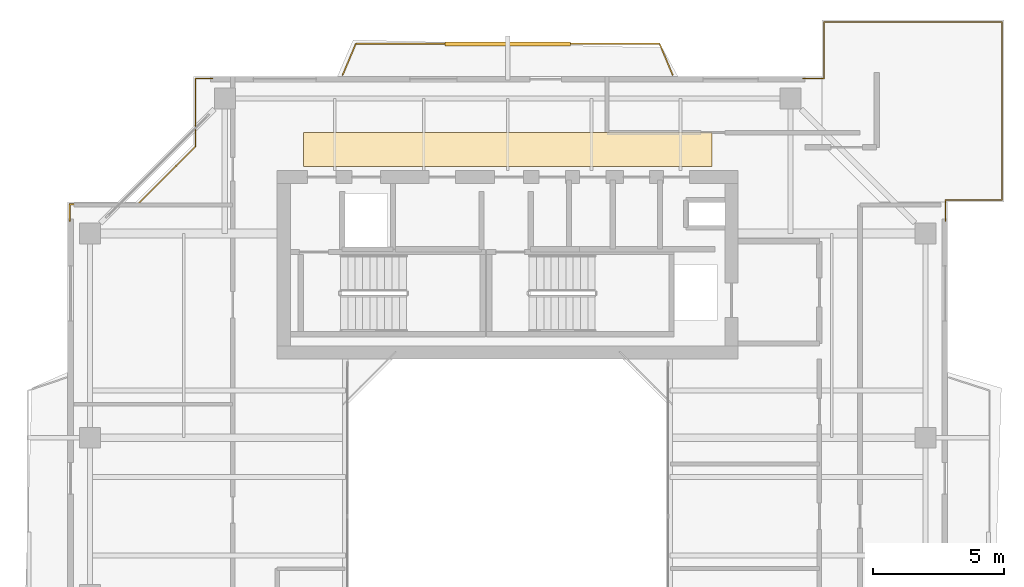
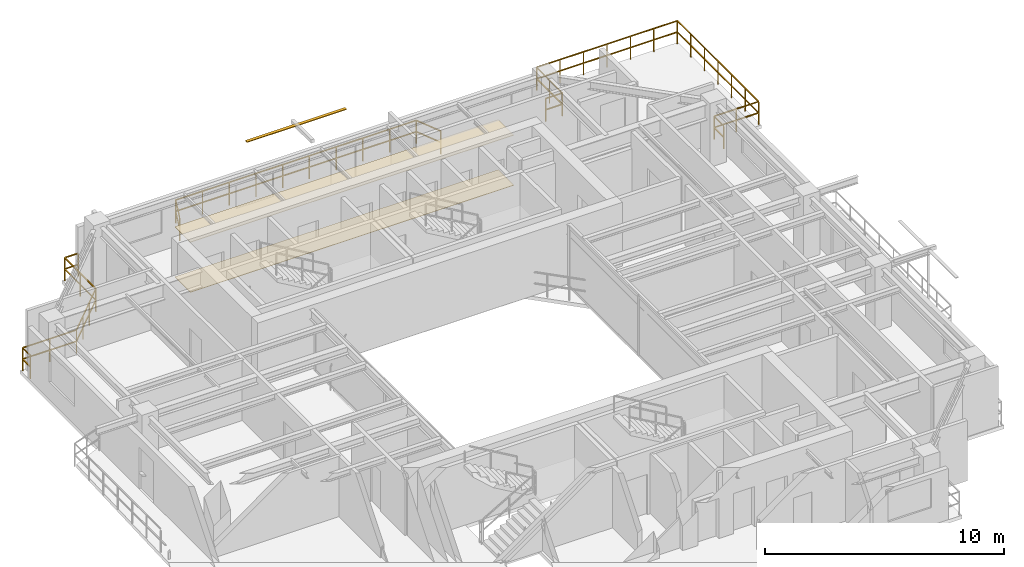
# One storey, part 16 of 16: 3 railings, 2 coverings, 1 shading device.
"""IFC4 building model written with IfcOpenShell, lengths in metres."""

from ifc_helpers import new_model, si_unit, direction, frame, origin, origin_2d, place, context, subcontext, project, spatial, polyline, rectangle, outline, extrude, source, transform, mapped, material, layer, layer_set, material_profile, profile_set, type_object, element, save


model = new_model("IFC4")

# Units and contexts
model_context = context("Model", 3, precision=1e-05, world=origin(), true_north=direction((0.0, 1.0)))
body_context = subcontext(model_context, "Body", "Model", "MODEL_VIEW")
ifc_project = project(units=[si_unit("LENGTHUNIT", "METRE"), si_unit("AREAUNIT", "SQUARE_METRE"), si_unit("VOLUMEUNIT", "CUBIC_METRE"), si_unit("PLANEANGLEUNIT", "RADIAN"), si_unit("MASSUNIT", "GRAM", prefix="KILO"), si_unit("THERMODYNAMICTEMPERATUREUNIT", "KELVIN"), si_unit("POWERUNIT", "WATT")], contexts=[model_context])

# Site, building, storey
site_placement = place(None, origin())
site = spatial("IfcSite", under=ifc_project, at=site_placement, CompositionType="ELEMENT")
building_placement = place(site_placement, origin())
building = spatial("IfcBuilding", under=site, at=building_placement, Name="Qiaomeng Ring Towers", CompositionType="ELEMENT")
storey_placement = place(building_placement, frame((0.0, 0.0, 223.0)))
storey = spatial("IfcBuildingStorey", under=building, at=storey_placement, Name="L65", CompositionType="ELEMENT", Elevation=223.0)

# Coverings
ifc_material_1 = material(Name="Moisture-resistant gypsum ceiling board", Category="gypsum")
ifc_layer_1 = layer(ifc_material_1, 0.030029296875, Name="Moisture-resistant gypsum ceiling board")
ifc_layer_set_1 = layer_set([ifc_layer_1], Name="Moisture-resistant gypsum ceiling board")
covering_type_1 = type_object("IfcCoveringType", Name="ARC-COV-CEIL2", PredefinedType="CEILING", material=ifc_layer_set_1)
covering_1_placement = place(storey_placement, frame((0.0, 0.0, 2.550048828125)))
element("IfcCovering", 1, at=covering_1_placement, inside=storey, type_object=covering_type_1, Name="L65 Corridor Acoustic Ceiling", PredefinedType="CEILING", context=body_context, shape_type="SweptSolid", body=[
    extrude(outline(polyline([(11.199951171875, 36.35009765625), (11.199951171875, 37.64990234375), (26.800048828125, 37.64990234375), (26.800048828125, 36.35009765625), (11.199951171875, 36.35009765625)])), origin(), (0.0, 0.0, 1.0), 0.02490234375),
])
ifc_material_2 = material(Name="Vitrified porcelain floor tile", Category="ceramic")
ifc_layer_2 = layer(ifc_material_2, 0.02001953125, Name="Vitrified porcelain floor tile")
ifc_layer_set_2 = layer_set([ifc_layer_2], Name="Vitrified porcelain floor tile")
covering_type_2 = type_object("IfcCoveringType", Name="ARC-COV-FLR1", PredefinedType="FLOORING", material=ifc_layer_set_2)
covering_2_placement = place(storey_placement, origin())
element("IfcCovering", 2, at=covering_2_placement, inside=storey, type_object=covering_type_2, Name="L65 Corridor Stone Flooring", PredefinedType="FLOORING", context=body_context, shape_type="SweptSolid", body=[
    extrude(outline(polyline([(11.199951171875, 36.35009765625), (11.199951171875, 37.64990234375), (26.800048828125, 37.64990234375), (26.800048828125, 36.35009765625), (11.199951171875, 36.35009765625)])), origin(), (0.0, 0.0, 1.0), 0.02001953125),
])

# Railings
ifc_material_3 = material(Name="Low-E pale-green laminated safety glass", Category="glass")
railing_type = type_object("IfcRailingType", Name="ARC-RL-BAL1", PredefinedType="BALUSTRADE", material=ifc_material_3)
railing_1_placement = place(storey_placement, frame((35.719970703125, 34.280029296875, 0.0)))
element("IfcRailing", 3, at=railing_1_placement, inside=storey, type_object=railing_type, Name="L65 Balustrade ARC-BAL-L65-SPIRAL-NE", PredefinedType="BALUSTRADE", context=body_context, shape_type="SweptSolid", body=[
    extrude(rectangle(XDim=0.048095703125, YDim=0.048095703125, at=origin_2d()), frame((0.0, 0.0, 1.17578125), z_axis=(0.0, 1.0, 0.0), x_axis=(-1.0, 0.0, 0.0)), (0.0, 0.0, 1.0), 0.800048828125),
    extrude(rectangle(XDim=0.048095703125, YDim=0.048095703125, at=origin_2d()), frame((0.0, 0.0, 0.60009765625), z_axis=(0.0, 1.0, 0.0), x_axis=(-1.0, 0.0, 0.0)), (0.0, 0.0, 1.0), 0.800048828125),
    extrude(rectangle(XDim=0.048095703125, YDim=0.048095703125, at=origin_2d()), frame((0.0, 0.800048828125, 1.17578125), z_axis=(1.0, 0.0, 0.0), x_axis=(0.0, 1.0, 0.0)), (0.0, 0.0, 1.0), 2.150146484375),
    extrude(rectangle(XDim=0.048095703125, YDim=0.048095703125, at=origin_2d()), frame((0.0, 0.800048828125, 0.60009765625), z_axis=(1.0, 0.0, 0.0), x_axis=(0.0, 1.0, 0.0)), (0.0, 0.0, 1.0), 2.150146484375),
    extrude(rectangle(XDim=0.048095703125, YDim=0.048095703125, at=origin_2d()), frame((2.150146484375, 0.800048828125, 1.17578125), z_axis=(0.0, 1.0, 0.0), x_axis=(-1.0, 0.0, 0.0)), (0.0, 0.0, 1.0), 6.7900390625),
    extrude(rectangle(XDim=0.048095703125, YDim=0.048095703125, at=origin_2d()), frame((2.150146484375, 0.800048828125, 0.60009765625), z_axis=(0.0, 1.0, 0.0), x_axis=(-1.0, 0.0, 0.0)), (0.0, 0.0, 1.0), 6.7900390625),
    extrude(rectangle(XDim=0.048095703125, YDim=0.048095703125, at=origin_2d()), frame((2.150146484375, 7.590087890625, 1.17578125), z_axis=(-1.0, 0.0, 0.0), x_axis=(0.0, -1.0, 0.0)), (0.0, 0.0, 1.0), 6.7900390625),
    extrude(rectangle(XDim=0.048095703125, YDim=0.048095703125, at=origin_2d()), frame((2.150146484375, 7.590087890625, 0.60009765625), z_axis=(-1.0, 0.0, 0.0), x_axis=(0.0, -1.0, 0.0)), (0.0, 0.0, 1.0), 6.7900390625),
    extrude(rectangle(XDim=0.048095703125, YDim=0.048095703125, at=origin_2d()), frame((-4.639892578125, 7.590087890625, 1.17578125), z_axis=(0.0, -1.0, 0.0), x_axis=(1.0, 0.0, 0.0)), (0.0, 0.0, 1.0), 2.150146484375),
    extrude(rectangle(XDim=0.048095703125, YDim=0.048095703125, at=origin_2d()), frame((-4.639892578125, 7.590087890625, 0.60009765625), z_axis=(0.0, -1.0, 0.0), x_axis=(1.0, 0.0, 0.0)), (0.0, 0.0, 1.0), 2.150146484375),
    extrude(rectangle(XDim=0.048095703125, YDim=0.048095703125, at=origin_2d()), frame((-4.639892578125, 5.43994140625, 1.17578125), z_axis=(-1.0, 0.0, 0.0), x_axis=(0.0, -1.0, 0.0)), (0.0, 0.0, 1.0), 0.800048828125),
    extrude(rectangle(XDim=0.048095703125, YDim=0.048095703125, at=origin_2d()), frame((-4.639892578125, 5.43994140625, 0.60009765625), z_axis=(-1.0, 0.0, 0.0), x_axis=(0.0, -1.0, 0.0)), (0.0, 0.0, 1.0), 0.800048828125),
    extrude(rectangle(XDim=0.0419921875, YDim=0.0419921875, at=origin_2d()), origin(), (0.0, 0.0, 1.0), 1.15185546875),
    extrude(rectangle(XDim=0.0419921875, YDim=0.0419921875, at=origin_2d()), frame((0.0, 0.800048828125, 0.0)), (0.0, 0.0, 1.0), 1.15185546875),
    extrude(rectangle(XDim=0.0419921875, YDim=0.0419921875, at=origin_2d()), frame((1.0751953125, 0.800048828125, 0.0)), (0.0, 0.0, 1.0), 1.15185546875),
    extrude(rectangle(XDim=0.0419921875, YDim=0.0419921875, at=origin_2d()), frame((2.150146484375, 0.800048828125, 0.0)), (0.0, 0.0, 1.0), 1.15185546875),
    extrude(rectangle(XDim=0.0419921875, YDim=0.0419921875, at=origin_2d()), frame((2.150146484375, 1.931640625, 0.0)), (0.0, 0.0, 1.0), 1.15185546875),
    extrude(rectangle(XDim=0.0419921875, YDim=0.0419921875, at=origin_2d()), frame((2.150146484375, 3.0634765625, 0.0)), (0.0, 0.0, 1.0), 1.15185546875),
    extrude(rectangle(XDim=0.0419921875, YDim=0.0419921875, at=origin_2d()), frame((2.150146484375, 4.195068359375, 0.0)), (0.0, 0.0, 1.0), 1.15185546875),
    extrude(rectangle(XDim=0.0419921875, YDim=0.0419921875, at=origin_2d()), frame((2.150146484375, 5.32666015625, 0.0)), (0.0, 0.0, 1.0), 1.15185546875),
    extrude(rectangle(XDim=0.0419921875, YDim=0.0419921875, at=origin_2d()), frame((2.150146484375, 6.45849609375, 0.0)), (0.0, 0.0, 1.0), 1.15185546875),
    extrude(rectangle(XDim=0.0419921875, YDim=0.0419921875, at=origin_2d()), frame((2.150146484375, 7.590087890625, 0.0)), (0.0, 0.0, 1.0), 1.15185546875),
    extrude(rectangle(XDim=0.0419921875, YDim=0.0419921875, at=origin_2d()), frame((1.0185546875, 7.590087890625, 0.0)), (0.0, 0.0, 1.0), 1.15185546875),
    extrude(rectangle(XDim=0.0419921875, YDim=0.0419921875, at=origin_2d()), frame((-0.11328125, 7.590087890625, 0.0)), (0.0, 0.0, 1.0), 1.15185546875),
    extrude(rectangle(XDim=0.0419921875, YDim=0.0419921875, at=origin_2d()), frame((-1.244873046875, 7.590087890625, 0.0)), (0.0, 0.0, 1.0), 1.15185546875),
    extrude(rectangle(XDim=0.0419921875, YDim=0.0419921875, at=origin_2d()), frame((-2.37646484375, 7.590087890625, 0.0)), (0.0, 0.0, 1.0), 1.15185546875),
    extrude(rectangle(XDim=0.0419921875, YDim=0.0419921875, at=origin_2d()), frame((-3.50830078125, 7.590087890625, 0.0)), (0.0, 0.0, 1.0), 1.15185546875),
    extrude(rectangle(XDim=0.0419921875, YDim=0.0419921875, at=origin_2d()), frame((-4.639892578125, 7.590087890625, 0.0)), (0.0, 0.0, 1.0), 1.15185546875),
    extrude(rectangle(XDim=0.0419921875, YDim=0.0419921875, at=origin_2d()), frame((-4.639892578125, 6.51513671875, 0.0)), (0.0, 0.0, 1.0), 1.15185546875),
    extrude(rectangle(XDim=0.0419921875, YDim=0.0419921875, at=origin_2d()), frame((-4.639892578125, 5.43994140625, 0.0)), (0.0, 0.0, 1.0), 1.15185546875),
    extrude(rectangle(XDim=0.0419921875, YDim=0.0419921875, at=origin_2d()), frame((-5.43994140625, 5.43994140625, 0.0)), (0.0, 0.0, 1.0), 1.15185546875),
])
railing_2_placement = place(storey_placement, frame((7.72998046875, 39.719970703125, 0.0)))
element("IfcRailing", 4, at=railing_2_placement, inside=storey, type_object=railing_type, Name="L65 Balustrade ARC-BAL-NOTCH1-L65-NW", PredefinedType="BALUSTRADE", context=body_context, shape_type="SweptSolid", body=[
    extrude(rectangle(XDim=0.048095703125, YDim=0.048095703125, at=origin_2d()), frame((0.0, 0.0, 1.17578125), z_axis=(-1.0, 0.0, 0.0), x_axis=(0.0, -1.0, 0.0)), (0.0, 0.0, 1.0), 0.64990234375),
    extrude(rectangle(XDim=0.048095703125, YDim=0.048095703125, at=origin_2d()), frame((0.0, 0.0, 0.60009765625), z_axis=(-1.0, 0.0, 0.0), x_axis=(0.0, -1.0, 0.0)), (0.0, 0.0, 1.0), 0.64990234375),
    extrude(rectangle(XDim=0.048095703125, YDim=0.048095703125, at=origin_2d()), frame((-0.64990234375, 0.0, 1.17578125), z_axis=(0.0, -1.0, 0.0), x_axis=(1.0, 0.0, 0.0)), (0.0, 0.0, 1.0), 2.599853515625),
    extrude(rectangle(XDim=0.048095703125, YDim=0.048095703125, at=origin_2d()), frame((-0.64990234375, 0.0, 0.60009765625), z_axis=(0.0, -1.0, 0.0), x_axis=(1.0, 0.0, 0.0)), (0.0, 0.0, 1.0), 2.599853515625),
    extrude(rectangle(XDim=0.048095703125, YDim=0.048095703125, at=origin_2d()), frame((-0.64990234375, -2.599853515625, 1.17578125), z_axis=(-0.707106781187, -0.707106781187, 0.0), x_axis=(0.707106781187, -0.707106781187, 0.0)), (0.0, 0.0, 1.0), 3.111572265625),
    extrude(rectangle(XDim=0.048095703125, YDim=0.048095703125, at=origin_2d()), frame((-0.64990234375, -2.599853515625, 0.60009765625), z_axis=(-0.707106781187, -0.707106781187, 0.0), x_axis=(0.707106781187, -0.707106781187, 0.0)), (0.0, 0.0, 1.0), 3.111572265625),
    extrude(rectangle(XDim=0.048095703125, YDim=0.048095703125, at=origin_2d()), frame((-2.85009765625, -4.800048828125, 1.17578125), z_axis=(-1.0, 0.0, 0.0), x_axis=(0.0, -1.0, 0.0)), (0.0, 0.0, 1.0), 2.599853515625),
    extrude(rectangle(XDim=0.048095703125, YDim=0.048095703125, at=origin_2d()), frame((-2.85009765625, -4.800048828125, 0.60009765625), z_axis=(-1.0, 0.0, 0.0), x_axis=(0.0, -1.0, 0.0)), (0.0, 0.0, 1.0), 2.599853515625),
    extrude(rectangle(XDim=0.048095703125, YDim=0.048095703125, at=origin_2d()), frame((-5.449951171875, -4.800048828125, 1.17578125), z_axis=(0.0, -1.0, 0.0), x_axis=(1.0, 0.0, 0.0)), (0.0, 0.0, 1.0), 0.64990234375),
    extrude(rectangle(XDim=0.048095703125, YDim=0.048095703125, at=origin_2d()), frame((-5.449951171875, -4.800048828125, 0.60009765625), z_axis=(0.0, -1.0, 0.0), x_axis=(1.0, 0.0, 0.0)), (0.0, 0.0, 1.0), 0.64990234375),
    extrude(rectangle(XDim=0.0419921875, YDim=0.0419921875, at=origin_2d()), origin(), (0.0, 0.0, 1.0), 1.15185546875),
    extrude(rectangle(XDim=0.0419921875, YDim=0.0419921875, at=origin_2d()), frame((-0.64990234375, 0.0, 0.0)), (0.0, 0.0, 1.0), 1.15185546875),
    extrude(rectangle(XDim=0.0419921875, YDim=0.0419921875, at=origin_2d()), frame((-0.64990234375, -1.2998046875, 0.0)), (0.0, 0.0, 1.0), 1.15185546875),
    extrude(rectangle(XDim=0.0419921875, YDim=0.0419921875, at=origin_2d()), frame((-0.64990234375, -2.599853515625, 0.0)), (0.0, 0.0, 1.0), 1.15185546875),
    extrude(rectangle(XDim=0.0419921875, YDim=0.0419921875, at=origin_2d()), frame((-1.38330078125, -3.333251953125, 0.0)), (0.0, 0.0, 1.0), 1.15185546875),
    extrude(rectangle(XDim=0.0419921875, YDim=0.0419921875, at=origin_2d()), frame((-2.11669921875, -4.066650390625, 0.0)), (0.0, 0.0, 1.0), 1.15185546875),
    extrude(rectangle(XDim=0.0419921875, YDim=0.0419921875, at=origin_2d()), frame((-2.85009765625, -4.800048828125, 0.0)), (0.0, 0.0, 1.0), 1.15185546875),
    extrude(rectangle(XDim=0.0419921875, YDim=0.0419921875, at=origin_2d()), frame((-4.14990234375, -4.800048828125, 0.0)), (0.0, 0.0, 1.0), 1.15185546875),
    extrude(rectangle(XDim=0.0419921875, YDim=0.0419921875, at=origin_2d()), frame((-5.449951171875, -4.800048828125, 0.0)), (0.0, 0.0, 1.0), 1.15185546875),
    extrude(rectangle(XDim=0.0419921875, YDim=0.0419921875, at=origin_2d()), frame((-5.449951171875, -5.449951171875, 0.0)), (0.0, 0.0, 1.0), 1.15185546875),
])
railing_3_placement = place(storey_placement, frame((12.699951171875, 39.85009765625, 0.0)))
element("IfcRailing", 5, at=railing_3_placement, inside=storey, type_object=railing_type, Name="L65 Balustrade ARC-BAL-L65-T1-N", PredefinedType="BALUSTRADE", context=body_context, shape_type="SweptSolid", body=[
    extrude(rectangle(XDim=0.048095703125, YDim=0.048095703125, at=origin_2d()), frame((0.0, 0.0, 1.17578125), z_axis=(0.387380404006, 0.921919965394, 0.0), x_axis=(-0.921919965394, 0.387380404006, 0.0)), (0.0, 0.0, 1.0), 1.290771484375),
    extrude(rectangle(XDim=0.048095703125, YDim=0.048095703125, at=origin_2d()), frame((0.0, 0.0, 0.60009765625), z_axis=(0.387380404006, 0.921919965394, 0.0), x_axis=(-0.921919965394, 0.387380404006, 0.0)), (0.0, 0.0, 1.0), 1.290771484375),
    extrude(rectangle(XDim=0.048095703125, YDim=0.048095703125, at=origin_2d()), frame((0.5, 1.18994140625, 1.17578125), z_axis=(1.0, 0.0, 0.0), x_axis=(0.0, 1.0, 0.0)), (0.0, 0.0, 1.0), 11.60009765625),
    extrude(rectangle(XDim=0.048095703125, YDim=0.048095703125, at=origin_2d()), frame((0.5, 1.18994140625, 0.60009765625), z_axis=(1.0, 0.0, 0.0), x_axis=(0.0, 1.0, 0.0)), (0.0, 0.0, 1.0), 11.60009765625),
    extrude(rectangle(XDim=0.048095703125, YDim=0.048095703125, at=origin_2d()), frame((12.10009765625, 1.18994140625, 1.17578125), z_axis=(0.387380404006, -0.921919965394, 0.0), x_axis=(0.921919965394, 0.387380404006, 0.0)), (0.0, 0.0, 1.0), 1.290771484375),
    extrude(rectangle(XDim=0.048095703125, YDim=0.048095703125, at=origin_2d()), frame((12.10009765625, 1.18994140625, 0.60009765625), z_axis=(0.387380404006, -0.921919965394, 0.0), x_axis=(0.921919965394, 0.387380404006, 0.0)), (0.0, 0.0, 1.0), 1.290771484375),
    extrude(rectangle(XDim=0.0419921875, YDim=0.0419921875, at=origin_2d()), origin(), (0.0, 0.0, 1.0), 1.15185546875),
    extrude(rectangle(XDim=0.0419921875, YDim=0.0419921875, at=origin_2d()), frame((0.5, 1.18994140625, 0.0)), (0.0, 0.0, 1.0), 1.15185546875),
    extrude(rectangle(XDim=0.0419921875, YDim=0.0419921875, at=origin_2d()), frame((1.788818359375, 1.18994140625, 0.0)), (0.0, 0.0, 1.0), 1.15185546875),
    extrude(rectangle(XDim=0.0419921875, YDim=0.0419921875, at=origin_2d()), frame((3.077880859375, 1.18994140625, 0.0)), (0.0, 0.0, 1.0), 1.15185546875),
    extrude(rectangle(XDim=0.0419921875, YDim=0.0419921875, at=origin_2d()), frame((4.36669921875, 1.18994140625, 0.0)), (0.0, 0.0, 1.0), 1.15185546875),
    extrude(rectangle(XDim=0.0419921875, YDim=0.0419921875, at=origin_2d()), frame((5.655517578125, 1.18994140625, 0.0)), (0.0, 0.0, 1.0), 1.15185546875),
    extrude(rectangle(XDim=0.0419921875, YDim=0.0419921875, at=origin_2d()), frame((6.944580078125, 1.18994140625, 0.0)), (0.0, 0.0, 1.0), 1.15185546875),
    extrude(rectangle(XDim=0.0419921875, YDim=0.0419921875, at=origin_2d()), frame((8.2333984375, 1.18994140625, 0.0)), (0.0, 0.0, 1.0), 1.15185546875),
    extrude(rectangle(XDim=0.0419921875, YDim=0.0419921875, at=origin_2d()), frame((9.522216796875, 1.18994140625, 0.0)), (0.0, 0.0, 1.0), 1.15185546875),
    extrude(rectangle(XDim=0.0419921875, YDim=0.0419921875, at=origin_2d()), frame((10.811279296875, 1.18994140625, 0.0)), (0.0, 0.0, 1.0), 1.15185546875),
    extrude(rectangle(XDim=0.0419921875, YDim=0.0419921875, at=origin_2d()), frame((12.10009765625, 1.18994140625, 0.0)), (0.0, 0.0, 1.0), 1.15185546875),
    extrude(rectangle(XDim=0.0419921875, YDim=0.0419921875, at=origin_2d()), frame((12.60009765625, 0.0, 0.0)), (0.0, 0.0, 1.0), 1.15185546875),
])

# Shading device
ifc_material_4 = material(Name="Fluorocarbon dark-grey aluminium", Category="aluminium")
ifc_material_profile = material_profile(ifc_material_4, rectangle(XDim=0.14990234375, YDim=0.034912109375, at=origin_2d()), Name="LV BLADE 150x35")
ifc_profile_set = profile_set([ifc_material_profile], Name="Fluorocarbon dark-grey aluminium")
shading_device_type = type_object("IfcShadingDeviceType", Name="ARC-SHD-SUN", PredefinedType="AWNING", material=ifc_profile_set)
shared_shape = source(origin(), body_context, "Body", "SweptSolid", [
    extrude(rectangle(XDim=0.14990234375, YDim=0.034912109375, at=origin_2d()), origin(), (0.0, 0.0, 1.0), 4.7998046875),
])
shading_device_placement = place(storey_placement, frame((16.60009765625, 41.0400390625, 2.969970703125), z_axis=(1.0, 0.0, 0.0), x_axis=(0.0, 1.0, 0.0)))
element("IfcShadingDevice", 6, at=shading_device_placement, inside=storey, type_object=shading_device_type, Name="L65 Ventilated Outer-Skin Sunshade N", PredefinedType="AWNING", context=body_context, shape_type="MappedRepresentation", body=[
    mapped(shared_shape, transform((0.0, 0.0, 0.0), x_axis=(1.0, 0.0, 0.0), y_axis=(0.0, 1.0, 0.0), z_axis=(0.0, 0.0, 1.0), scale=1.0)),
])

save(model, "model.ifc")
